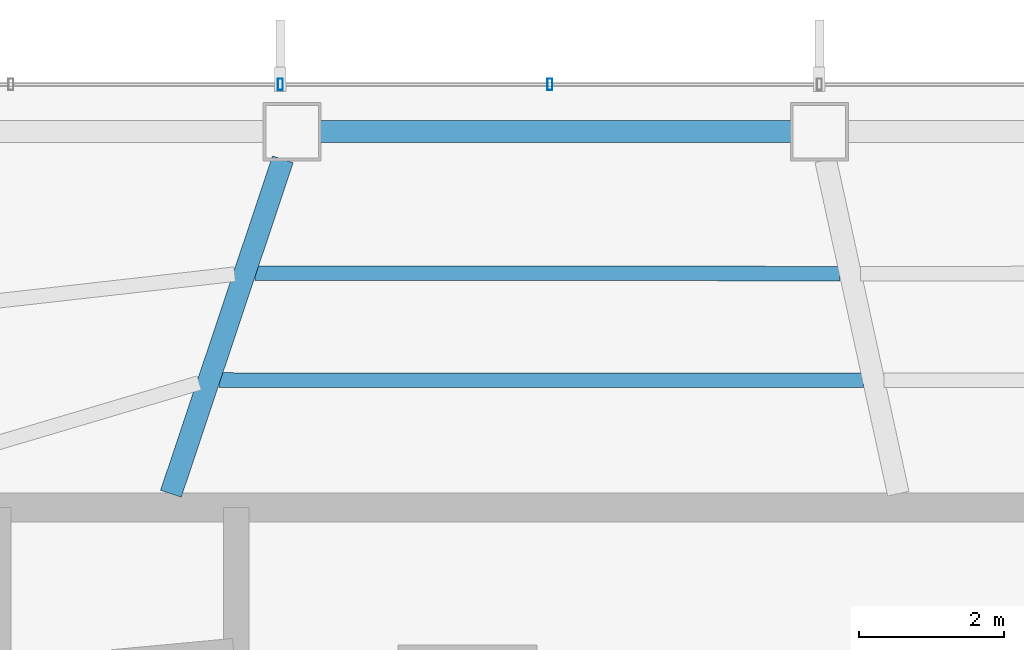
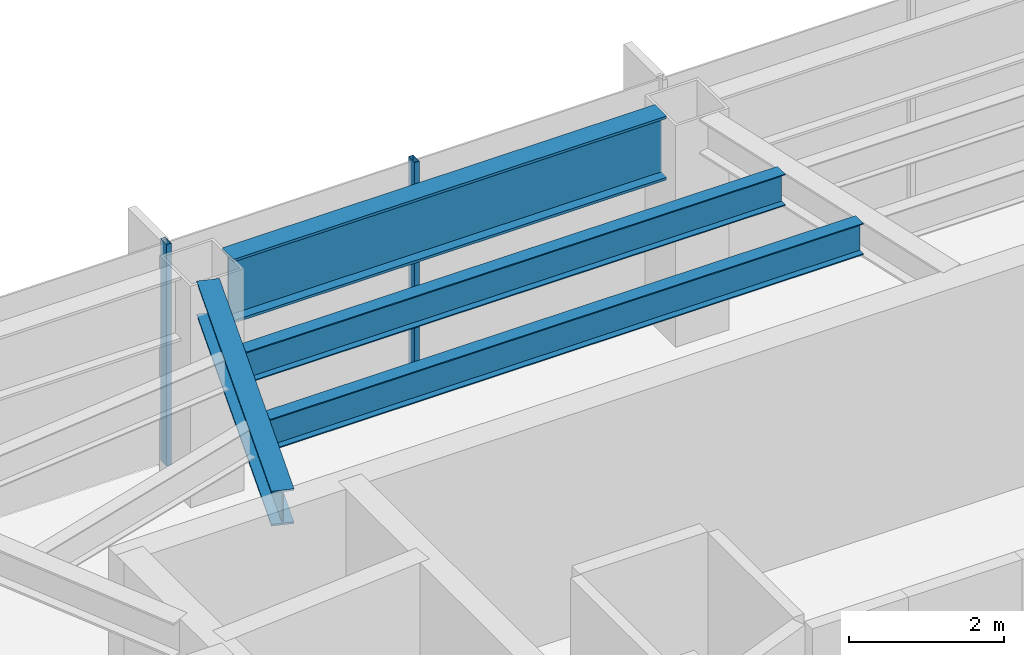
# One storey, part 12 of 28: 4 beams, 2 members, 1 element without a shape of its own.
"""IFC4 building model written with IfcOpenShell, lengths in metres."""

from ifc_helpers import new_model, si_unit, direction, frame, origin, origin_2d, place, context, subcontext, project, spatial, hollow_rectangle, i_section, extrude, material, layer, layer_set, material_profile, profile_set, type_object, element, aggregate, save


model = new_model("IFC4")

# Units and contexts
model_context = context("Model", 3, precision=1e-05, world=origin(), true_north=direction((0.0, 1.0)))
body_context = subcontext(model_context, "Body", "Model", "MODEL_VIEW")
ifc_project = project(units=[si_unit("LENGTHUNIT", "METRE"), si_unit("AREAUNIT", "SQUARE_METRE"), si_unit("VOLUMEUNIT", "CUBIC_METRE"), si_unit("PLANEANGLEUNIT", "RADIAN"), si_unit("MASSUNIT", "GRAM", prefix="KILO")], contexts=[model_context])

# Site, building, storey
site_placement = place(None, origin())
site = spatial("IfcSite", under=ifc_project, at=site_placement, CompositionType="ELEMENT")
building_placement = place(site_placement, origin())
building = spatial("IfcBuilding", under=site, at=building_placement, Name="Zarrinselat Tower", CompositionType="ELEMENT")
storey_placement = place(building_placement, frame((0.0, 0.0, 127.159912109375)))
storey = spatial("IfcBuildingStorey", under=building, at=storey_placement, Name="L30", CompositionType="ELEMENT", Elevation=127.159912109375)

# Beams
ifc_material_1 = material(Name="Steel S355J2", Category="steel")
ifc_material_profile_1 = material_profile(ifc_material_1, i_section(OverallWidth=0.300048828125, OverallDepth=0.550048828125, WebThickness=0.014892578125, FlangeThickness=0.029052734375, at=origin_2d()), Name="HEB 550")
ifc_profile_set_1 = profile_set([ifc_material_profile_1], Name="Steel S355J2")
beam_type_1 = type_object("IfcBeamType", Name="BM-HEB550", PredefinedType="BEAM", material=ifc_profile_set_1)
beam_1_placement = place(storey_placement, frame((31.0, 43.639892578125, 3.22509765625), z_axis=(0.317466734823, 0.948269409124, 0.0), x_axis=(-0.948269409124, 0.317466734823, 0.0)))
element("IfcBeam", 1, at=beam_1_placement, inside=storey, type_object=beam_type_1, Name="L30 Radial Primary Girder RG04", PredefinedType="BEAM", context=body_context, shape_type="SweptSolid", body=[
    extrude(i_section(OverallWidth=0.300048828125, OverallDepth=0.550048828125, WebThickness=0.014892578125, FlangeThickness=0.029052734375, at=origin_2d()), origin(), (0.0, 0.0, 1.0), 4.846435546875),
])
ifc_material_2 = material(Name="Steel S460M", Category="steel")
ifc_material_profile_2 = material_profile(ifc_material_2, i_section(OverallWidth=0.302001953125, OverallDepth=1.008056640625, WebThickness=0.02099609375, FlangeThickness=0.0400390625, at=origin_2d()), Name="HEM 1000")
ifc_profile_set_2 = profile_set([ifc_material_profile_2], Name="Steel S460M")
beam_type_2 = type_object("IfcBeamType", Name="BM-HEM1000", PredefinedType="BEAM", material=ifc_profile_set_2)
beam_2_placement = place(storey_placement, frame((33.05419921875, 48.61669921875, 2.99609375), z_axis=(1.0, 0.0, 0.0), x_axis=(0.0, 1.0, 0.0)))
element("IfcBeam", 2, at=beam_2_placement, inside=storey, type_object=beam_type_2, Name="L30 Perimeter Spandrel Girder SP03", PredefinedType="BEAM", context=body_context, shape_type="SweptSolid", body=[
    extrude(i_section(OverallWidth=0.302001953125, OverallDepth=1.008056640625, WebThickness=0.02099609375, FlangeThickness=0.0400390625, at=origin_2d()), origin(), (0.0, 0.0, 1.0), 6.473388671875),
])
ifc_material_3 = material(Name="Steel S355J2", Category="steel")
ifc_material_profile_3 = material_profile(ifc_material_3, i_section(OverallWidth=0.199951171875, OverallDepth=0.5, WebThickness=0.01025390625, FlangeThickness=0.01611328125, at=origin_2d()), Name="IPE 500")
ifc_profile_set_3 = profile_set([ifc_material_profile_3], Name="Steel S355J2")
beam_type_3 = type_object("IfcBeamType", Name="BM-IPE500", PredefinedType="JOIST", material=ifc_profile_set_3)
beam_3_placement = place(storey_placement, frame((32.155517578125, 46.6728515625, 3.25), z_axis=(0.999999585598, -0.000910387144, 0.0), x_axis=(0.000910387144, 0.999999585598, 0.0)))
element("IfcBeam", 3, at=beam_3_placement, inside=storey, type_object=beam_type_3, Name="L30 Composite Floor Joist 8-1", PredefinedType="JOIST", context=body_context, shape_type="SweptSolid", body=[
    extrude(i_section(OverallWidth=0.199951171875, OverallDepth=0.5, WebThickness=0.01025390625, FlangeThickness=0.01611328125, at=origin_2d()), origin(), (0.0, 0.0, 1.0), 8.045166015625),
])
beam_4_placement = place(storey_placement, frame((31.6630859375, 45.202392578125, 3.25), z_axis=(0.999999902753, -0.00044101429, 0.0), x_axis=(0.00044101429, 0.999999902753, 0.0)))
element("IfcBeam", 4, at=beam_4_placement, inside=storey, type_object=beam_type_3, Name="L30 Composite Floor Joist 8-2", PredefinedType="JOIST", context=body_context, shape_type="SweptSolid", body=[
    extrude(i_section(OverallWidth=0.199951171875, OverallDepth=0.5, WebThickness=0.01025390625, FlangeThickness=0.01611328125, at=origin_2d()), origin(), (0.0, 0.0, 1.0), 8.857421875),
])

# Curtain wall, members
ifc_material_4 = material(Name="Extruded Aluminium Alloy EN AW-6063 T6", Category="aluminium")
ifc_layer = layer(ifc_material_4, 0.175048828125)
ifc_layer_set = layer_set([ifc_layer], Name="Extruded Aluminium Alloy EN AW-6063 T6")
curtain_wall_type = type_object("IfcCurtainWallType", Name="CWS-HTL", PredefinedType="NOTDEFINED", material=ifc_layer_set)
curtain_wall_placement = place(storey_placement, origin())
curtain_wall = element("IfcCurtainWall", 5, at=curtain_wall_placement, inside=storey, type_object=curtain_wall_type, Name="L30 Unitised Curtain Wall CW-L30-E01", PredefinedType="NOTDEFINED")
ifc_material_5 = material(Name="Extruded Aluminium Alloy EN AW-6063 T6", Category="aluminium")
ifc_material_profile_4 = material_profile(ifc_material_5, hollow_rectangle(XDim=0.070068359375, YDim=0.159912109375, WallThickness=0.00390625, at=origin_2d()), Name="RHS 160x70x4")
ifc_profile_set_4 = profile_set([ifc_material_profile_4], Name="Extruded Aluminium Alloy EN AW-6063 T6")
member_type = type_object("IfcMemberType", Name="MEM-CW-MUL2", PredefinedType="MULLION", material=ifc_profile_set_4)
member_1_placement = place(storey_placement, frame((36.210205078125, 49.2666015625, 0.0), z_axis=(0.0, 0.0, 1.0), x_axis=(-1.0, 0.0, 0.0)))
member_1 = element("IfcMember", 6, at=member_1_placement, type_object=member_type, Name="CW-L30-E01 Mullion 6", PredefinedType="MULLION", context=body_context, shape_type="SweptSolid", body=[
    extrude(hollow_rectangle(XDim=0.070068359375, YDim=0.159912109375, WallThickness=0.00390625, at=origin_2d()), origin(), (0.0, 0.0, 1.0), 3.5),
])
member_2_placement = place(storey_placement, frame((32.504638671875, 49.2666015625, 0.0), z_axis=(0.0, 0.0, 1.0), x_axis=(-1.0, 0.0, 0.0)))
member_2 = element("IfcMember", 7, at=member_2_placement, type_object=member_type, Name="CW-L30-E01 Mullion 7", PredefinedType="MULLION", context=body_context, shape_type="SweptSolid", body=[
    extrude(hollow_rectangle(XDim=0.070068359375, YDim=0.159912109375, WallThickness=0.00390625, at=origin_2d()), origin(), (0.0, 0.0, 1.0), 3.5),
])
aggregate(curtain_wall, [member_1, member_2])

save(model, "model.ifc")
